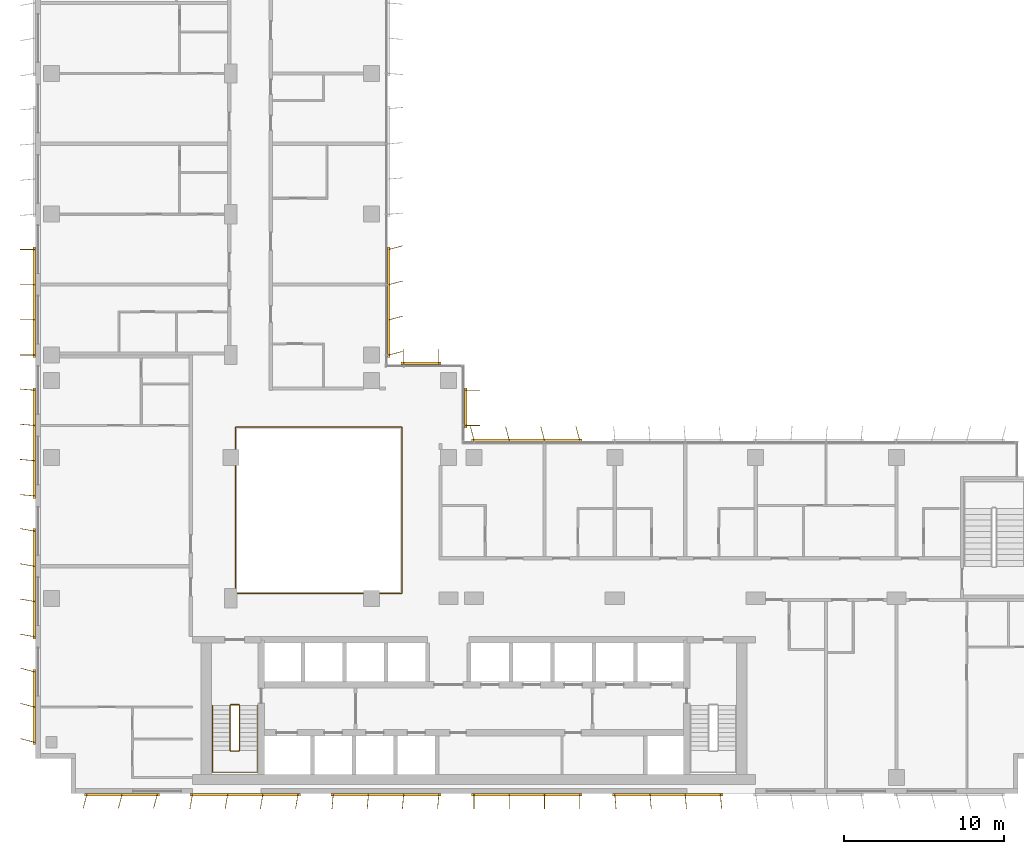
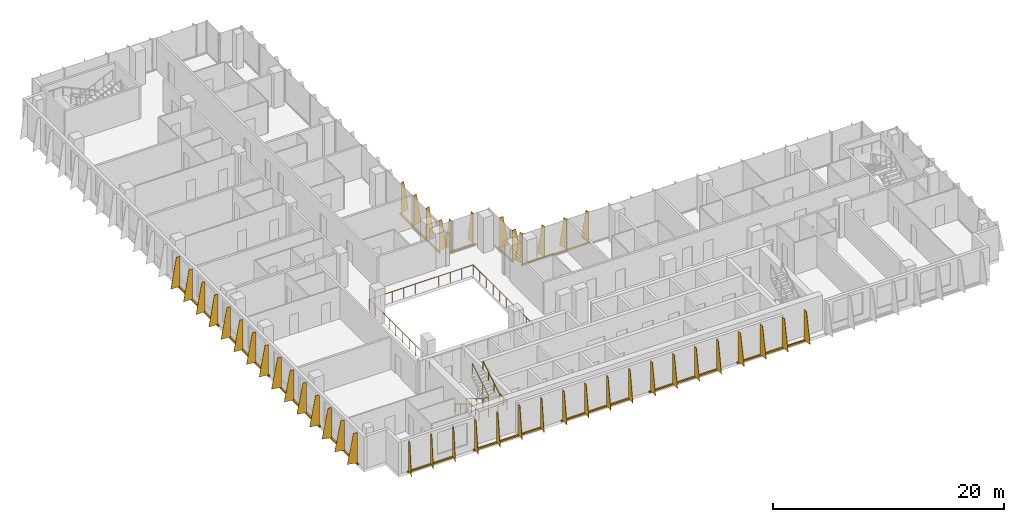
# One storey, part 19 of 21: 13 shading devices, 3 railings.
"""IFC4 building model written with IfcOpenShell, lengths in metres."""

import ifcopenshell
import ifcopenshell.guid

model = None  # the IFC model being written
_history = None  # IfcOwnerHistory: only IFC2X3 demands one
_inside = {}  # id of a spatial element -> (the spatial element, [elements in it])
_under = {}  # id of a project, library or spatial element -> (it, [spatial elements below it])
_declared = {}  # id of a project -> (the project, [libraries it declares])
_typed = {}  # id of a type object -> (the type object, [elements of that type])
_made_of = {}  # id of a material, layer set ... -> (it, [elements and type objects made of it])


def new_model(schema):
    """Start an empty IFC model of exactly this schema.

    Asked for "IFC4X3", IfcOpenShell would pick the latest addendum, in which some entities
    have other attributes; the version numbers below select the first issue.
    IFC2X3 requires an IfcOwnerHistory on every rooted entity: one is made here for all.
    """
    global model, _history
    if schema == "IFC4X3":
        model = ifcopenshell.file(schema_version=(4, 3, 0, 0))
    else:
        model = ifcopenshell.file(schema=schema)
    _inside.clear()
    _under.clear()
    _declared.clear()
    _typed.clear()
    _made_of.clear()
    _history = None
    if model.schema == "IFC2X3":
        org = make("IfcOrganization", Name="unknown")
        user = make(
            "IfcPersonAndOrganization",
            ThePerson=make("IfcPerson", FamilyName="unknown"),
            TheOrganization=org,
        )
        app = make(
            "IfcApplication",
            ApplicationDeveloper=org,
            Version="unknown",
            ApplicationFullName="unknown",
            ApplicationIdentifier="unknown",
        )
        _history = make(
            "IfcOwnerHistory",
            OwningUser=user,
            OwningApplication=app,
            ChangeAction="ADDED",
            CreationDate=0,
        )
    return model


def make(cls, **values):
    """One entity of the class cls with the attributes given. An attribute that is None is left unset."""
    return model.create_entity(
        cls, **{name: value for name, value in values.items() if value is not None}
    )


def rooted(cls, **values):
    """An entity with a GlobalId (a new one), such as an element, a storey or a relation."""
    return make(cls, GlobalId=ifcopenshell.guid.new(), OwnerHistory=_history, **values)


def si_unit(unit_type, name, prefix=None):
    """IfcSIUnit, for example si_unit("LENGTHUNIT", "METRE", prefix="MILLI")."""
    return make("IfcSIUnit", UnitType=unit_type, Prefix=prefix, Name=name)


def assignment(units):
    """IfcUnitAssignment: the units of a project."""
    return None if units is None else make("IfcUnitAssignment", Units=units)


def point(xyz):
    """IfcCartesianPoint."""
    return None if xyz is None else make("IfcCartesianPoint", Coordinates=xyz)


def direction(xyz):
    """IfcDirection."""
    return None if xyz is None else make("IfcDirection", DirectionRatios=xyz)


def frame(location, z_axis=None, x_axis=None):
    """IfcAxis2Placement3D, a coordinate frame: its origin and axes. An axis left out is left unset."""
    return make(
        "IfcAxis2Placement3D",
        Location=point(location),
        Axis=direction(z_axis),
        RefDirection=direction(x_axis),
    )


def frame_2d(location, x_axis=None):
    """IfcAxis2Placement2D, a coordinate frame in the plane: its origin and x axis."""
    return make(
        "IfcAxis2Placement2D", Location=point(location), RefDirection=direction(x_axis)
    )


def origin():
    """The frame at (0, 0, 0) with its axes left unset."""
    return frame((0.0, 0.0, 0.0))


def origin_2d():
    """The frame at (0, 0) in the plane with its x axis left unset."""
    return frame_2d((0.0, 0.0))


def place(relative_to, where):
    """IfcLocalPlacement: puts the frame where relative to a parent placement (None: the world)."""
    return make(
        "IfcLocalPlacement", PlacementRelTo=relative_to, RelativePlacement=where
    )


def context(
    kind, dimensions, precision=None, world=None, true_north=None, identifier=None
):
    """IfcGeometricRepresentationContext, for example the 3D "Model" context."""
    return make(
        "IfcGeometricRepresentationContext",
        ContextIdentifier=identifier,
        ContextType=kind,
        CoordinateSpaceDimension=dimensions,
        Precision=precision,
        WorldCoordinateSystem=world,
        TrueNorth=true_north,
    )


def subcontext(parent, identifier, kind, view, scale=None):
    """IfcGeometricRepresentationSubContext, for example "Body" below "Model"."""
    return make(
        "IfcGeometricRepresentationSubContext",
        ContextIdentifier=identifier,
        ContextType=kind,
        ParentContext=parent,
        TargetScale=scale,
        TargetView=view,
    )


def project(units=None, contexts=None):
    """IfcProject with its units and contexts."""
    return rooted(
        "IfcProject",
        Name="project",
        RepresentationContexts=contexts,
        UnitsInContext=assignment(units),
    )


def spatial(cls, under=None, at=None, **own):
    """A site, building, storey or space (cls), placed at a placement, below another one or the project."""
    s = rooted(cls, ObjectPlacement=at, **own)
    if under is not None:
        _under.setdefault(under.id(), (under, []))[1].append(s)
    return s


def polyline(points):
    """IfcPolyline through the points."""
    return make("IfcPolyline", Points=[point(p) for p in points])


def profile(cls, at=None, kind="AREA", **sizes):
    """A parametric profile (cls). Its sizes go by their IFC names, for example OverallWidth=200.0."""
    return make(cls, ProfileType=kind, Position=at, **sizes)


def rectangle(**sizes):
    """IfcRectangleProfileDef."""
    return profile("IfcRectangleProfileDef", **sizes)


def circle(**sizes):
    """IfcCircleProfileDef."""
    return profile("IfcCircleProfileDef", **sizes)


def outline(outer, holes=None, kind="AREA"):
    """IfcArbitraryClosedProfileDef: a profile drawn as a closed curve; with holes, ...WithVoids."""
    if holes is None:
        return make("IfcArbitraryClosedProfileDef", ProfileType=kind, OuterCurve=outer)
    return make(
        "IfcArbitraryProfileDefWithVoids",
        ProfileType=kind,
        OuterCurve=outer,
        InnerCurves=holes,
    )


def extrude(swept, where, along, depth):
    """IfcExtrudedAreaSolid: the profile swept, set in the frame where, extruded along a direction by depth."""
    return make(
        "IfcExtrudedAreaSolid",
        SweptArea=swept,
        Position=where,
        ExtrudedDirection=direction(along),
        Depth=depth,
    )


def shape(context_of_items, identifier, shape_type, items):
    """IfcShapeRepresentation: the items that make up one representation, for example the "Body"."""
    return make(
        "IfcShapeRepresentation",
        ContextOfItems=context_of_items,
        RepresentationIdentifier=identifier,
        RepresentationType=shape_type,
        Items=items,
    )


def source(mapping_origin, context_of_items, identifier, shape_type, items):
    """IfcRepresentationMap: a shape defined once, which mapped items show again and again."""
    return make(
        "IfcRepresentationMap",
        MappingOrigin=mapping_origin,
        MappedRepresentation=shape(context_of_items, identifier, shape_type, items),
    )


def transform(
    local_origin,
    x_axis=None,
    y_axis=None,
    z_axis=None,
    scale=None,
    scale2=None,
    scale3=None,
    uniform=True,
):
    """IfcCartesianTransformationOperator3D, or its non-uniform kind. x_axis, y_axis, z_axis: its Axis1, 2, 3."""
    if uniform:
        return make(
            "IfcCartesianTransformationOperator3D",
            Axis1=direction(x_axis),
            Axis2=direction(y_axis),
            LocalOrigin=point(local_origin),
            Scale=scale,
            Axis3=direction(z_axis),
        )
    return make(
        "IfcCartesianTransformationOperator3DnonUniform",
        Axis1=direction(x_axis),
        Axis2=direction(y_axis),
        LocalOrigin=point(local_origin),
        Scale=scale,
        Axis3=direction(z_axis),
        Scale2=scale2,
        Scale3=scale3,
    )


def mapped(mapping_source, mapping_target):
    """IfcMappedItem: shows the shape of a source again, moved by a transform."""
    return make(
        "IfcMappedItem", MappingSource=mapping_source, MappingTarget=mapping_target
    )


def material(Name=None, Category=None):
    """IfcMaterial."""
    return make("IfcMaterial", Name=Name, Category=Category)


def layer(
    of_material, thickness, ventilated=None, Name=None, Category=None, Priority=None
):
    """IfcMaterialLayer: one layer of a wall or slab, of a material (None: an air gap)."""
    return make(
        "IfcMaterialLayer",
        Material=of_material,
        LayerThickness=thickness,
        IsVentilated=ventilated,
        Name=Name,
        Category=Category,
        Priority=Priority,
    )


def layer_set(layers, Name=None):
    """IfcMaterialLayerSet."""
    return make("IfcMaterialLayerSet", MaterialLayers=layers, LayerSetName=Name)


def made_of(thing, what):
    """Note that an element or type object is made of a material, layer set ...; save() writes the relation."""
    if what is not None:
        _made_of.setdefault(what.id(), (what, []))[1].append(thing)
    return thing


def type_object(cls, material=None, **own):
    """A type object (cls), such as IfcWallType, which elements share."""
    return made_of(rooted(cls, **own), material)


def element(
    cls,
    number,
    at=None,
    inside=None,
    cuts=None,
    type_object=None,
    material=None,
    context=None,
    identifier="Body",
    shape_type=None,
    held_by="IfcProductDefinitionShape",
    body=None,
    shapes=None,
    **own,
):
    """One element of the class cls, such as IfcWall. Its Tag is "e" and its number.

    at: its placement. inside: the storey or other place that contains it. cuts: it is an
    opening in that element (IfcRelVoidsElement). A single representation is given by context,
    identifier, shape_type and body (its items); several are given by shapes. held_by: the class
    of the entity that holds the representations. save() writes the other relations.
    """
    e = rooted(cls, Tag="e%d" % number, ObjectPlacement=at, **own)
    if body is not None:
        shapes = [shape(context, identifier, shape_type, body)]
    if shapes is not None:
        e.Representation = make(held_by, Representations=shapes)
    if inside is not None:
        _inside.setdefault(inside.id(), (inside, []))[1].append(e)
    if cuts is not None:
        rooted(
            "IfcRelVoidsElement", RelatingBuildingElement=cuts, RelatedOpeningElement=e
        )
    if type_object is not None:
        _typed.setdefault(type_object.id(), (type_object, []))[1].append(e)
    return made_of(e, material)


def aggregate(whole, parts):
    """IfcRelAggregates: a whole, such as a stair, and the parts it consists of."""
    return rooted("IfcRelAggregates", RelatingObject=whole, RelatedObjects=parts)


def save(model, path):
    """Write the relations noted so far, then the file.

    IfcRelAggregates (storeys below a building ...), IfcRelContainedInSpatialStructure (elements
    in a storey), IfcRelDefinesByType, IfcRelAssociatesMaterial and IfcRelDeclares: one each for
    every whole, place, type object, material and project.
    """
    for whole, parts in _under.values():
        aggregate(whole, parts)
    for where, things in _inside.values():
        rooted(
            "IfcRelContainedInSpatialStructure",
            RelatedElements=things,
            RelatingStructure=where,
        )
    for kind, things in _typed.values():
        rooted("IfcRelDefinesByType", RelatedObjects=things, RelatingType=kind)
    for what, things in _made_of.values():
        rooted("IfcRelAssociatesMaterial", RelatedObjects=things, RelatingMaterial=what)
    for by, libraries in _declared.values():
        rooted("IfcRelDeclares", RelatingContext=by, RelatedDefinitions=libraries)
    model.write(path)


model = new_model("IFC4")

# Units and contexts
model_context = context("Model", 3, precision=1e-05, world=origin(), true_north=direction((0.0, 1.0)))
body_context = subcontext(model_context, "Body", "Model", "MODEL_VIEW")
ifc_project = project(units=[si_unit("LENGTHUNIT", "METRE"), si_unit("AREAUNIT", "SQUARE_METRE"), si_unit("VOLUMEUNIT", "CUBIC_METRE"), si_unit("PLANEANGLEUNIT", "RADIAN"), si_unit("MASSUNIT", "GRAM", prefix="KILO")], contexts=[model_context])

# Site, building, storey
site_placement = place(None, origin())
site = spatial("IfcSite", under=ifc_project, at=site_placement, CompositionType="ELEMENT")
building_placement = place(site_placement, origin())
building = spatial("IfcBuilding", under=site, at=building_placement, Name="Kemantara Hotel Tower", CompositionType="ELEMENT")
storey_placement = place(building_placement, frame((0.0, 0.0, 208.0)))
storey = spatial("IfcBuildingStorey", under=building, at=storey_placement, Name="L51", CompositionType="ELEMENT", Elevation=208.0)

# Railings
ifc_material_1 = material(Name="Stainless steel and laminated glass balustrade", Category="steel")
railing_type_1 = type_object("IfcRailingType", Name="ATRIUM GUARD 1100", PredefinedType="GUARDRAIL", material=ifc_material_1)
railing_1_placement = place(storey_placement, frame((12.56005859375, 12.5, 0.0)))
element("IfcRailing", 1, at=railing_1_placement, inside=storey, type_object=railing_type_1, Name="ATRIUM GUARD L51", PredefinedType="GUARDRAIL", context=body_context, shape_type="SweptSolid", body=[
    extrude(circle(Radius=0.02490234375, at=origin_2d()), frame((0.0, 0.0, 1.0751953125), z_axis=(1.0, 0.0, 0.0), x_axis=(0.0, 1.0, 0.0)), (0.0, 0.0, 1.0), 10.33984375),
    extrude(circle(Radius=0.02490234375, at=origin_2d()), frame((10.33984375, 0.0, 1.0751953125), z_axis=(0.0, 1.0, 0.0), x_axis=(-1.0, 0.0, 0.0)), (0.0, 0.0, 1.0), 10.39990234375),
    extrude(circle(Radius=0.02490234375, at=origin_2d()), frame((10.33984375, 10.39990234375, 1.0751953125), z_axis=(-1.0, 0.0, 0.0), x_axis=(0.0, -1.0, 0.0)), (0.0, 0.0, 1.0), 10.39990234375),
    extrude(circle(Radius=0.02490234375, at=origin_2d()), frame((-0.06005859375, 10.39990234375, 1.0751953125), z_axis=(0.0, -1.0, 0.0), x_axis=(1.0, 0.0, 0.0)), (0.0, 0.0, 1.0), 10.39990234375),
    extrude(circle(Radius=0.02001953125, at=origin_2d()), origin(), (0.0, 0.0, 1.0), 1.050048828125),
    extrude(circle(Radius=0.02001953125, at=origin_2d()), frame((1.14892578125, 0.0, 0.0)), (0.0, 0.0, 1.0), 1.050048828125),
    extrude(circle(Radius=0.02001953125, at=origin_2d()), frame((2.2978515625, 0.0, 0.0)), (0.0, 0.0, 1.0), 1.050048828125),
    extrude(circle(Radius=0.02001953125, at=origin_2d()), frame((3.446533203125, 0.0, 0.0)), (0.0, 0.0, 1.0), 1.050048828125),
    extrude(circle(Radius=0.02001953125, at=origin_2d()), frame((4.595458984375, 0.0, 0.0)), (0.0, 0.0, 1.0), 1.050048828125),
    extrude(circle(Radius=0.02001953125, at=origin_2d()), frame((5.744384765625, 0.0, 0.0)), (0.0, 0.0, 1.0), 1.050048828125),
    extrude(circle(Radius=0.02001953125, at=origin_2d()), frame((6.893310546875, 0.0, 0.0)), (0.0, 0.0, 1.0), 1.050048828125),
    extrude(circle(Radius=0.02001953125, at=origin_2d()), frame((8.0419921875, 0.0, 0.0)), (0.0, 0.0, 1.0), 1.050048828125),
    extrude(circle(Radius=0.02001953125, at=origin_2d()), frame((9.19091796875, 0.0, 0.0)), (0.0, 0.0, 1.0), 1.050048828125),
    extrude(circle(Radius=0.02001953125, at=origin_2d()), frame((10.33984375, 0.0, 0.0)), (0.0, 0.0, 1.0), 1.050048828125),
    extrude(circle(Radius=0.02001953125, at=origin_2d()), frame((10.33984375, 1.155517578125, 0.0)), (0.0, 0.0, 1.0), 1.050048828125),
    extrude(circle(Radius=0.02001953125, at=origin_2d()), frame((10.33984375, 2.31103515625, 0.0)), (0.0, 0.0, 1.0), 1.050048828125),
    extrude(circle(Radius=0.02001953125, at=origin_2d()), frame((10.33984375, 3.466552734375, 0.0)), (0.0, 0.0, 1.0), 1.050048828125),
    extrude(circle(Radius=0.02001953125, at=origin_2d()), frame((10.33984375, 4.6220703125, 0.0)), (0.0, 0.0, 1.0), 1.050048828125),
    extrude(circle(Radius=0.02001953125, at=origin_2d()), frame((10.33984375, 5.77783203125, 0.0)), (0.0, 0.0, 1.0), 1.050048828125),
    extrude(circle(Radius=0.02001953125, at=origin_2d()), frame((10.33984375, 6.933349609375, 0.0)), (0.0, 0.0, 1.0), 1.050048828125),
    extrude(circle(Radius=0.02001953125, at=origin_2d()), frame((10.33984375, 8.0888671875, 0.0)), (0.0, 0.0, 1.0), 1.050048828125),
    extrude(circle(Radius=0.02001953125, at=origin_2d()), frame((10.33984375, 9.244384765625, 0.0)), (0.0, 0.0, 1.0), 1.050048828125),
    extrude(circle(Radius=0.02001953125, at=origin_2d()), frame((10.33984375, 10.39990234375, 0.0)), (0.0, 0.0, 1.0), 1.050048828125),
    extrude(circle(Radius=0.02001953125, at=origin_2d()), frame((9.184326171875, 10.39990234375, 0.0)), (0.0, 0.0, 1.0), 1.050048828125),
    extrude(circle(Radius=0.02001953125, at=origin_2d()), frame((8.02880859375, 10.39990234375, 0.0)), (0.0, 0.0, 1.0), 1.050048828125),
    extrude(circle(Radius=0.02001953125, at=origin_2d()), frame((6.873291015625, 10.39990234375, 0.0)), (0.0, 0.0, 1.0), 1.050048828125),
    extrude(circle(Radius=0.02001953125, at=origin_2d()), frame((5.7177734375, 10.39990234375, 0.0)), (0.0, 0.0, 1.0), 1.050048828125),
    extrude(circle(Radius=0.02001953125, at=origin_2d()), frame((4.56201171875, 10.39990234375, 0.0)), (0.0, 0.0, 1.0), 1.050048828125),
    extrude(circle(Radius=0.02001953125, at=origin_2d()), frame((3.406494140625, 10.39990234375, 0.0)), (0.0, 0.0, 1.0), 1.050048828125),
    extrude(circle(Radius=0.02001953125, at=origin_2d()), frame((2.2509765625, 10.39990234375, 0.0)), (0.0, 0.0, 1.0), 1.050048828125),
    extrude(circle(Radius=0.02001953125, at=origin_2d()), frame((1.095458984375, 10.39990234375, 0.0)), (0.0, 0.0, 1.0), 1.050048828125),
    extrude(circle(Radius=0.02001953125, at=origin_2d()), frame((-0.06005859375, 10.39990234375, 0.0)), (0.0, 0.0, 1.0), 1.050048828125),
    extrude(circle(Radius=0.02001953125, at=origin_2d()), frame((-0.06005859375, 9.244384765625, 0.0)), (0.0, 0.0, 1.0), 1.050048828125),
    extrude(circle(Radius=0.02001953125, at=origin_2d()), frame((-0.06005859375, 8.0888671875, 0.0)), (0.0, 0.0, 1.0), 1.050048828125),
    extrude(circle(Radius=0.02001953125, at=origin_2d()), frame((-0.06005859375, 6.933349609375, 0.0)), (0.0, 0.0, 1.0), 1.050048828125),
    extrude(circle(Radius=0.02001953125, at=origin_2d()), frame((-0.06005859375, 5.77783203125, 0.0)), (0.0, 0.0, 1.0), 1.050048828125),
    extrude(circle(Radius=0.02001953125, at=origin_2d()), frame((-0.06005859375, 4.6220703125, 0.0)), (0.0, 0.0, 1.0), 1.050048828125),
    extrude(circle(Radius=0.02001953125, at=origin_2d()), frame((-0.06005859375, 3.466552734375, 0.0)), (0.0, 0.0, 1.0), 1.050048828125),
    extrude(circle(Radius=0.02001953125, at=origin_2d()), frame((-0.06005859375, 2.31103515625, 0.0)), (0.0, 0.0, 1.0), 1.050048828125),
    extrude(circle(Radius=0.02001953125, at=origin_2d()), frame((-0.06005859375, 1.155517578125, 0.0)), (0.0, 0.0, 1.0), 1.050048828125),
    extrude(circle(Radius=0.02001953125, at=origin_2d()), frame((-0.06005859375, 0.0, 0.0)), (0.0, 0.0, 1.0), 1.050048828125),
])
ifc_material_2 = material(Name="Stainless steel balustrade", Category="steel")
railing_type_2 = type_object("IfcRailingType", Name="Stair guard 1100 mm", PredefinedType="GUARDRAIL", material=ifc_material_2)
railing_2_placement = place(storey_placement, frame((12.75, 5.5, 3.699951171875)))
element("IfcRailing", 2, at=railing_2_placement, inside=storey, type_object=railing_type_2, Name="L51 ST1 stair guard 1", PredefinedType="GUARDRAIL", context=body_context, shape_type="SweptSolid", body=[
    extrude(circle(Radius=0.02392578125, at=origin_2d()), frame((0.0, 0.0, 1.076171875), z_axis=(0.0, -0.857242210791, -0.514913383045), x_axis=(1.0, 0.0, 0.0)), (0.0, 0.0, 1.0), 3.266357421875),
    extrude(circle(Radius=0.02392578125, at=origin_2d()), frame((0.0, -2.800048828125, -0.60595703125), z_axis=(-0.274582412415, -0.274582412415, -0.921525364591), x_axis=(0.707106781187, -0.707106781187, 0.0)), (0.0, 0.0, 1.0), 0.182373046875),
    extrude(circle(Radius=0.02392578125, at=origin_2d()), frame((-0.050048828125, -2.85009765625, -0.77392578125), z_axis=(-1.0, 0.0, 0.0), x_axis=(0.0, -1.0, 0.0)), (0.0, 0.0, 1.0), 0.5),
    extrude(circle(Radius=0.02392578125, at=origin_2d()), frame((-0.550048828125, -2.85009765625, -0.77392578125), z_axis=(-0.707106781187, 0.707106781187, 0.0), x_axis=(-0.707106781187, -0.707106781187, 0.0)), (0.0, 0.0, 1.0), 0.07080078125),
    extrude(circle(Radius=0.02392578125, at=origin_2d()), frame((-0.60009765625, -2.800048828125, -0.77392578125), z_axis=(0.0, 0.857242210791, -0.514913383045), x_axis=(-1.0, 0.0, 0.0)), (0.0, 0.0, 1.0), 3.266357421875),
    extrude(circle(Radius=0.02392578125, at=origin_2d()), frame((-0.60009765625, 0.0, -2.45556640625), z_axis=(0.274243871929, 0.274243871929, -0.92172696468), x_axis=(-0.707106781187, 0.707106781187, 0.0)), (0.0, 0.0, 1.0), 0.1826171875),
    extrude(circle(Radius=0.02392578125, at=origin_2d()), frame((-0.550048828125, 0.050048828125, -2.6240234375), z_axis=(1.0, 0.0, 0.0), x_axis=(0.0, 1.0, 0.0)), (0.0, 0.0, 1.0), 0.5),
    extrude(circle(Radius=0.02099609375, at=origin_2d()), origin(), (0.0, 0.0, 1.0), 1.052001953125),
    extrude(circle(Radius=0.02099609375, at=origin_2d()), frame((0.0, -0.933349609375, -0.560546875)), (0.0, 0.0, 1.0), 1.052001953125),
    extrude(circle(Radius=0.02099609375, at=origin_2d()), frame((0.0, -1.86669921875, -1.121337890625)), (0.0, 0.0, 1.0), 1.052001953125),
    extrude(circle(Radius=0.02099609375, at=origin_2d()), frame((0.0, -2.800048828125, -1.681884765625)), (0.0, 0.0, 1.0), 1.052001953125),
    extrude(circle(Radius=0.02099609375, at=origin_2d()), frame((-0.050048828125, -2.85009765625, -1.849853515625)), (0.0, 0.0, 1.0), 1.052001953125),
    extrude(circle(Radius=0.02099609375, at=origin_2d()), frame((-0.550048828125, -2.85009765625, -1.849853515625)), (0.0, 0.0, 1.0), 1.052001953125),
    extrude(circle(Radius=0.02099609375, at=origin_2d()), frame((-0.60009765625, -2.800048828125, -1.849853515625)), (0.0, 0.0, 1.0), 1.052001953125),
    extrude(circle(Radius=0.02099609375, at=origin_2d()), frame((-0.60009765625, -1.86669921875, -2.410400390625)), (0.0, 0.0, 1.0), 1.052001953125),
    extrude(circle(Radius=0.02099609375, at=origin_2d()), frame((-0.60009765625, -0.933349609375, -2.97119140625)), (0.0, 0.0, 1.0), 1.052001953125),
    extrude(circle(Radius=0.02099609375, at=origin_2d()), frame((-0.60009765625, 0.0, -3.53173828125)), (0.0, 0.0, 1.0), 1.052001953125),
    extrude(circle(Radius=0.02099609375, at=origin_2d()), frame((-0.550048828125, 0.050048828125, -3.699951171875)), (0.0, 0.0, 1.0), 1.052001953125),
    extrude(circle(Radius=0.02099609375, at=origin_2d()), frame((-0.050048828125, 0.050048828125, -3.699951171875)), (0.0, 0.0, 1.0), 1.052001953125),
])
railing_type_3 = type_object("IfcRailingType", Name="Stair handrail 900 mm", PredefinedType="HANDRAIL", material=ifc_material_2)
railing_3_placement = place(storey_placement, frame((11.050048828125, 5.5, 0.168212890625)))
element("IfcRailing", 3, at=railing_3_placement, inside=storey, type_object=railing_type_3, Name="L51 ST1 stair handrail 1", PredefinedType="HANDRAIL", context=body_context, shape_type="SweptSolid", body=[
    extrude(circle(Radius=0.02392578125, at=origin_2d()), frame((0.0, 0.0, 0.8759765625), z_axis=(0.0, -0.857242210791, 0.514913383045), x_axis=(1.0, 0.0, 0.0)), (0.0, 0.0, 1.0), 3.266357421875),
    extrude(circle(Radius=0.02392578125, at=origin_2d()), frame((0.0, -2.800048828125, 2.5576171875), z_axis=(0.0, -1.0, 0.0), x_axis=(1.0, 0.0, 0.0)), (0.0, 0.0, 1.0), 1.3798828125),
    extrude(circle(Radius=0.02392578125, at=origin_2d()), frame((0.0, -4.179931640625, 2.5576171875), z_axis=(0.998205573864, 0.0, 0.059880149518), x_axis=(0.0, 1.0, 0.0)), (0.0, 0.0, 1.0), 2.80517578125),
    extrude(circle(Radius=0.02392578125, at=origin_2d()), frame((2.800048828125, -4.179931640625, 2.7255859375), z_axis=(0.0, 1.0, 0.0), x_axis=(-1.0, 0.0, 0.0)), (0.0, 0.0, 1.0), 1.3798828125),
    extrude(circle(Radius=0.02392578125, at=origin_2d()), frame((2.800048828125, -2.800048828125, 2.7255859375), z_axis=(0.0, 0.857242210791, 0.514913383045), x_axis=(-1.0, 0.0, 0.0)), (0.0, 0.0, 1.0), 3.266357421875),
    extrude(circle(Radius=0.02099609375, at=origin_2d()), origin(), (0.0, 0.0, 1.0), 0.851806640625),
    extrude(circle(Radius=0.02099609375, at=origin_2d()), frame((0.0, -0.933349609375, 0.560546875)), (0.0, 0.0, 1.0), 0.851806640625),
    extrude(circle(Radius=0.02099609375, at=origin_2d()), frame((0.0, -1.86669921875, 1.121337890625)), (0.0, 0.0, 1.0), 0.851806640625),
    extrude(circle(Radius=0.02099609375, at=origin_2d()), frame((0.0, -2.800048828125, 1.681884765625)), (0.0, 0.0, 1.0), 0.851806640625),
    extrude(circle(Radius=0.02099609375, at=origin_2d()), frame((0.0, -3.489990234375, 1.681884765625)), (0.0, 0.0, 1.0), 0.851806640625),
    extrude(circle(Radius=0.02099609375, at=origin_2d()), frame((0.0, -4.179931640625, 1.681884765625)), (0.0, 0.0, 1.0), 0.851806640625),
    extrude(circle(Radius=0.02099609375, at=origin_2d()), frame((0.933349609375, -4.179931640625, 1.73779296875)), (0.0, 0.0, 1.0), 0.851806640625),
    extrude(circle(Radius=0.02099609375, at=origin_2d()), frame((1.86669921875, -4.179931640625, 1.7939453125)), (0.0, 0.0, 1.0), 0.851806640625),
    extrude(circle(Radius=0.02099609375, at=origin_2d()), frame((2.800048828125, -4.179931640625, 1.849853515625)), (0.0, 0.0, 1.0), 0.851806640625),
    extrude(circle(Radius=0.02099609375, at=origin_2d()), frame((2.800048828125, -3.489990234375, 1.849853515625)), (0.0, 0.0, 1.0), 0.851806640625),
    extrude(circle(Radius=0.02099609375, at=origin_2d()), frame((2.800048828125, -2.800048828125, 1.849853515625)), (0.0, 0.0, 1.0), 0.851806640625),
    extrude(circle(Radius=0.02099609375, at=origin_2d()), frame((2.800048828125, -1.86669921875, 2.410400390625)), (0.0, 0.0, 1.0), 0.851806640625),
    extrude(circle(Radius=0.02099609375, at=origin_2d()), frame((2.800048828125, -0.933349609375, 2.97119140625)), (0.0, 0.0, 1.0), 0.851806640625),
    extrude(circle(Radius=0.02099609375, at=origin_2d()), frame((2.800048828125, 0.0, 3.53173828125)), (0.0, 0.0, 1.0), 0.851806640625),
])

# Shading devices
ifc_material_3 = material(Name="Perforated aluminium plate 4 mm bronze anodised", Category="aluminium")
ifc_layer_1 = layer(ifc_material_3, 0.0400390625)
ifc_layer_set_1 = layer_set([ifc_layer_1], Name="Perforated aluminium plate 4 mm bronze anodised")
shading_device_type_1 = type_object("IfcShadingDeviceType", Name="SCREEN FIN CASSETTE, 3 BLADES AT -15.0 DEG, 3200 HIGH", PredefinedType="USERDEFINED", material=ifc_layer_set_1)
shared_shape_1 = source(origin(), body_context, "Body", "SweptSolid", [
    extrude(rectangle(XDim=4.699951171875, YDim=0.14990234375, at=origin_2d()), frame((2.199951171875, -0.074951171875, -0.14990234375), z_axis=(0.0, 0.0, 1.0), x_axis=(1.0, 0.0, 0.0)), (0.0, 0.0, 1.0), 0.14990234375),
    extrude(outline(polyline([(0.0, 0.0), (0.89990234375, 0.0), (0.35009765625, 3.199951171875), (0.0, 3.199951171875), (0.0, 0.0)])), frame((0.019287109375, -0.080078125, 0.0), z_axis=(-0.966437683387, 0.256901156343, 0.0), x_axis=(-0.256901156343, -0.966437683387, 0.0)), (0.0, 0.0, 1.0), 0.039794921875),
    extrude(outline(polyline([(0.0, 0.0), (0.89990234375, 0.0), (0.35009765625, 3.199951171875), (0.0, 3.199951171875), (0.0, 0.0)])), frame((2.21923828125, -0.080078125, 0.0), z_axis=(-0.966437683387, 0.256901156343, 0.0), x_axis=(-0.256901156343, -0.966437683387, 0.0)), (0.0, 0.0, 1.0), 0.039794921875),
    extrude(outline(polyline([(0.0, 0.0), (0.89990234375, 0.0), (0.35009765625, 3.199951171875), (0.0, 3.199951171875), (0.0, 0.0)])), frame((4.41943359375, -0.080078125, 0.0), z_axis=(-0.966837822169, 0.255391122837, 0.0), x_axis=(-0.255391122837, -0.966837822169, 0.0)), (0.0, 0.0, 1.0), 0.0400390625),
])
for number, where, z_axis, x_axis, name in (
    (4, (0.0, 7.60009765625, 0.10009765625), (0.0, 0.0, 1.0), (0.0, -1.0, 0.0), "SCREEN FIN CASSETTE L51 T3-R05-7"),
    (5, (3.199951171875, 0.0, 0.10009765625), (0.0, 0.0, 1.0), (1.0, 0.0, 0.0), "SCREEN FIN CASSETTE L51 T3-R08-1"),
):
    element("IfcShadingDevice", number, at=place(storey_placement, frame(where, z_axis=z_axis, x_axis=x_axis)), inside=storey, type_object=shading_device_type_1, Name=name, ObjectType="SCREEN FIN", PredefinedType="USERDEFINED", context=body_context, shape_type="MappedRepresentation", body=[
        mapped(shared_shape_1, transform((0.0, 0.0, 0.0))),
    ])
ifc_layer_2 = layer(ifc_material_3, 0.0400390625)
ifc_layer_set_2 = layer_set([ifc_layer_2], Name="Perforated aluminium plate 4 mm bronze anodised")
shading_device_type_2 = type_object("IfcShadingDeviceType", Name="SCREEN FIN CASSETTE, 4 BLADES AT -10.0 DEG, 3200 HIGH", PredefinedType="USERDEFINED", material=ifc_layer_set_2)
shared_shape_2 = source(origin(), body_context, "Body", "SweptSolid", [
    extrude(rectangle(XDim=6.89990234375, YDim=0.14990234375, at=origin_2d()), frame((3.300048828125, -0.074951171875, -0.14990234375), z_axis=(0.0, 0.0, 1.0), x_axis=(1.0, 0.0, 0.0)), (0.0, 0.0, 1.0), 0.14990234375),
    extrude(outline(polyline([(0.0, 0.0), (0.89990234375, 0.0), (0.35009765625, 3.199951171875), (0.0, 3.199951171875), (0.0, 0.0)])), frame((0.019775390625, -0.078369140625, 0.0), z_axis=(-0.985389793052, 0.170314285219, 0.0), x_axis=(-0.170314285219, -0.985389793052, 0.0)), (0.0, 0.0, 1.0), 0.0400390625),
    extrude(outline(polyline([(0.0, 0.0), (0.89990234375, 0.0), (0.35009765625, 3.199951171875), (0.0, 3.199951171875), (0.0, 0.0)])), frame((2.2197265625, -0.078369140625, 0.0), z_axis=(-0.98521175482, 0.171341174751, 0.0), x_axis=(-0.171341174751, -0.98521175482, 0.0)), (0.0, 0.0, 1.0), 0.039794921875),
    extrude(outline(polyline([(0.0, 0.0), (0.89990234375, 0.0), (0.35009765625, 3.199951171875), (0.0, 3.199951171875), (0.0, 0.0)])), frame((4.419677734375, -0.078369140625, 0.0), z_axis=(-0.98521175482, 0.171341174751, 0.0), x_axis=(-0.171341174751, -0.98521175482, 0.0)), (0.0, 0.0, 1.0), 0.039794921875),
    extrude(outline(polyline([(0.0, 0.0), (0.89990234375, 0.0), (0.35009765625, 3.199951171875), (0.0, 3.199951171875), (0.0, 0.0)])), frame((6.61962890625, -0.078369140625, 0.0), z_axis=(-0.98521175482, 0.171341174751, 0.0), x_axis=(-0.171341174751, -0.98521175482, 0.0)), (0.0, 0.0, 1.0), 0.039794921875),
])
for number, where, z_axis, x_axis, name in (
    (6, (0.0, 16.39990234375, 0.10009765625), (0.0, 0.0, 1.0), (0.0, -1.0, 0.0), "SCREEN FIN CASSETTE L51 T3-R05-6"),
    (7, (9.800048828125, 0.0, 0.10009765625), (0.0, 0.0, 1.0), (1.0, 0.0, 0.0), "SCREEN FIN CASSETTE L51 T3-R08-2"),
):
    element("IfcShadingDevice", number, at=place(storey_placement, frame(where, z_axis=z_axis, x_axis=x_axis)), inside=storey, type_object=shading_device_type_2, Name=name, ObjectType="SCREEN FIN", PredefinedType="USERDEFINED", context=body_context, shape_type="MappedRepresentation", body=[
        mapped(shared_shape_2, transform((0.0, 0.0, 0.0))),
    ])
ifc_layer_3 = layer(ifc_material_3, 0.0400390625)
ifc_layer_set_3 = layer_set([ifc_layer_3], Name="Perforated aluminium plate 4 mm bronze anodised")
shading_device_type_3 = type_object("IfcShadingDeviceType", Name="SCREEN FIN CASSETTE, 4 BLADES AT -5.0 DEG, 3200 HIGH", PredefinedType="USERDEFINED", material=ifc_layer_set_3)
shared_shape_3 = source(origin(), body_context, "Body", "SweptSolid", [
    extrude(rectangle(XDim=6.89990234375, YDim=0.14990234375, at=origin_2d()), frame((3.300048828125, -0.074951171875, -0.14990234375), z_axis=(0.0, 0.0, 1.0), x_axis=(1.0, 0.0, 0.0)), (0.0, 0.0, 1.0), 0.14990234375),
    extrude(outline(polyline([(0.0, 0.0), (0.89990234375, 0.0), (0.35009765625, 3.199951171875), (0.0, 3.199951171875), (0.0, 0.0)])), frame((0.02001953125, -0.07666015625, 0.0), z_axis=(-0.996376129781, 0.085056498884, 0.0), x_axis=(-0.085056498884, -0.996376129781, 0.0)), (0.0, 0.0, 1.0), 0.040283203125),
    extrude(outline(polyline([(0.0, 0.0), (0.89990234375, 0.0), (0.35009765625, 3.199951171875), (0.0, 3.199951171875), (0.0, 0.0)])), frame((2.219970703125, -0.07666015625, 0.0), z_axis=(-0.996331773833, 0.085574508182, 0.0), x_axis=(-0.085574508182, -0.996331773833, 0.0)), (0.0, 0.0, 1.0), 0.0400390625),
    extrude(outline(polyline([(0.0, 0.0), (0.89990234375, 0.0), (0.35009765625, 3.199951171875), (0.0, 3.199951171875), (0.0, 0.0)])), frame((4.419921875, -0.07666015625, 0.0), z_axis=(-0.996331773833, 0.085574508182, 0.0), x_axis=(-0.085574508182, -0.996331773833, 0.0)), (0.0, 0.0, 1.0), 0.0400390625),
    extrude(outline(polyline([(0.0, 0.0), (0.89990234375, 0.0), (0.35009765625, 3.199951171875), (0.0, 3.199951171875), (0.0, 0.0)])), frame((6.619873046875, -0.07666015625, 0.0), z_axis=(-0.996331773833, 0.085574508182, 0.0), x_axis=(-0.085574508182, -0.996331773833, 0.0)), (0.0, 0.0, 1.0), 0.0400390625),
])
for number, where, z_axis, x_axis, name in (
    (8, (0.0, 25.199951171875, 0.10009765625), (0.0, 0.0, 1.0), (0.0, -1.0, 0.0), "SCREEN FIN CASSETTE L51 T3-R05-5"),
    (9, (18.60009765625, 0.0, 0.10009765625), (0.0, 0.0, 1.0), (1.0, 0.0, 0.0), "SCREEN FIN CASSETTE L51 T3-R08-3"),
):
    element("IfcShadingDevice", number, at=place(storey_placement, frame(where, z_axis=z_axis, x_axis=x_axis)), inside=storey, type_object=shading_device_type_3, Name=name, ObjectType="SCREEN FIN", PredefinedType="USERDEFINED", context=body_context, shape_type="MappedRepresentation", body=[
        mapped(shared_shape_3, transform((0.0, 0.0, 0.0))),
    ])
ifc_layer_4 = layer(ifc_material_3, 0.0400390625)
ifc_layer_set_4 = layer_set([ifc_layer_4], Name="Perforated aluminium plate 4 mm bronze anodised")
shading_device_type_4 = type_object("IfcShadingDeviceType", Name="SCREEN FIN CASSETTE, 4 BLADES AT +0.0 DEG, 3200 HIGH", PredefinedType="USERDEFINED", material=ifc_layer_set_4)
shared_shape_4 = source(origin(), body_context, "Body", "SweptSolid", [
    extrude(rectangle(XDim=6.89990234375, YDim=0.14990234375, at=origin_2d()), frame((3.300048828125, -0.074951171875, -0.14990234375), z_axis=(0.0, 0.0, 1.0), x_axis=(1.0, 0.0, 0.0)), (0.0, 0.0, 1.0), 0.14990234375),
    extrude(outline(polyline([(0.0, 0.0), (0.89990234375, 0.0), (0.35009765625, 3.199951171875), (0.0, 3.199951171875), (0.0, 0.0)])), frame((0.02001953125, -0.074951171875, 0.0), z_axis=(-1.0, 0.0, 0.0), x_axis=(0.0, -1.0, 0.0)), (0.0, 0.0, 1.0), 0.0400390625),
    extrude(outline(polyline([(0.0, 0.0), (0.89990234375, 0.0), (0.35009765625, 3.199951171875), (0.0, 3.199951171875), (0.0, 0.0)])), frame((2.219970703125, -0.074951171875, 0.0), z_axis=(-1.0, 0.0, 0.0), x_axis=(0.0, -1.0, 0.0)), (0.0, 0.0, 1.0), 0.0400390625),
    extrude(outline(polyline([(0.0, 0.0), (0.89990234375, 0.0), (0.35009765625, 3.199951171875), (0.0, 3.199951171875), (0.0, 0.0)])), frame((4.419921875, -0.074951171875, 0.0), z_axis=(-1.0, 0.0, 0.0), x_axis=(0.0, -1.0, 0.0)), (0.0, 0.0, 1.0), 0.0400390625),
    extrude(outline(polyline([(0.0, 0.0), (0.89990234375, 0.0), (0.35009765625, 3.199951171875), (0.0, 3.199951171875), (0.0, 0.0)])), frame((6.6201171875, -0.074951171875, 0.0), z_axis=(-1.0, 0.0, 0.0), x_axis=(0.0, -1.0, 0.0)), (0.0, 0.0, 1.0), 0.0400390625),
])
for number, where, z_axis, x_axis, name in (
    (10, (0.0, 34.0, 0.10009765625), (0.0, 0.0, 1.0), (0.0, -1.0, 0.0), "SCREEN FIN CASSETTE L51 T3-R05-4"),
    (11, (27.39990234375, 0.0, 0.10009765625), (0.0, 0.0, 1.0), (1.0, 0.0, 0.0), "SCREEN FIN CASSETTE L51 T3-R08-4"),
):
    element("IfcShadingDevice", number, at=place(storey_placement, frame(where, z_axis=z_axis, x_axis=x_axis)), inside=storey, type_object=shading_device_type_4, Name=name, ObjectType="SCREEN FIN", PredefinedType="USERDEFINED", context=body_context, shape_type="MappedRepresentation", body=[
        mapped(shared_shape_4, transform((0.0, 0.0, 0.0))),
    ])
ifc_layer_5 = layer(ifc_material_3, 0.0400390625)
ifc_layer_set_5 = layer_set([ifc_layer_5], Name="Perforated aluminium plate 4 mm bronze anodised")
shading_device_type_5 = type_object("IfcShadingDeviceType", Name="SCREEN FIN CASSETTE, 4 BLADES AT +5.0 DEG, 3200 HIGH", PredefinedType="USERDEFINED", material=ifc_layer_set_5)
shared_shape_5 = source(origin(), body_context, "Body", "SweptSolid", [
    extrude(rectangle(XDim=6.89990234375, YDim=0.14990234375, at=origin_2d()), frame((3.300048828125, -0.074951171875, -0.14990234375), z_axis=(0.0, 0.0, 1.0), x_axis=(1.0, 0.0, 0.0)), (0.0, 0.0, 1.0), 0.14990234375),
    extrude(outline(polyline([(0.0, 0.0), (0.89990234375, 0.0), (0.35009765625, 3.199951171875), (0.0, 3.199951171875), (0.0, 0.0)])), frame((0.02001953125, -0.0732421875, 0.0), z_axis=(-0.996376129781, -0.085056498884, 0.0), x_axis=(0.085056498884, -0.996376129781, 0.0)), (0.0, 0.0, 1.0), 0.040283203125),
    extrude(outline(polyline([(0.0, 0.0), (0.89990234375, 0.0), (0.35009765625, 3.199951171875), (0.0, 3.199951171875), (0.0, 0.0)])), frame((2.219970703125, -0.0732421875, 0.0), z_axis=(-0.996331773833, -0.085574508182, 0.0), x_axis=(0.085574508182, -0.996331773833, 0.0)), (0.0, 0.0, 1.0), 0.0400390625),
    extrude(outline(polyline([(0.0, 0.0), (0.89990234375, 0.0), (0.35009765625, 3.199951171875), (0.0, 3.199951171875), (0.0, 0.0)])), frame((4.419921875, -0.0732421875, 0.0), z_axis=(-0.996331773833, -0.085574508182, 0.0), x_axis=(0.085574508182, -0.996331773833, 0.0)), (0.0, 0.0, 1.0), 0.0400390625),
    extrude(outline(polyline([(0.0, 0.0), (0.89990234375, 0.0), (0.35009765625, 3.199951171875), (0.0, 3.199951171875), (0.0, 0.0)])), frame((6.619873046875, -0.0732421875, 0.0), z_axis=(-0.996331773833, -0.085574508182, 0.0), x_axis=(0.085574508182, -0.996331773833, 0.0)), (0.0, 0.0, 1.0), 0.0400390625),
])
shading_device_placement = place(storey_placement, frame((36.199951171875, 0.0, 0.10009765625), z_axis=(0.0, 0.0, 1.0), x_axis=(1.0, 0.0, 0.0)))
element("IfcShadingDevice", 12, at=shading_device_placement, inside=storey, type_object=shading_device_type_5, Name="SCREEN FIN CASSETTE L51 T3-R08-5", ObjectType="SCREEN FIN", PredefinedType="USERDEFINED", context=body_context, shape_type="MappedRepresentation", body=[
    mapped(shared_shape_5, transform((0.0, 0.0, 0.0))),
])
ifc_layer_6 = layer(ifc_material_3, 0.0400390625)
ifc_layer_set_6 = layer_set([ifc_layer_6], Name="Perforated aluminium plate 4 mm bronze anodised")
shading_device_type_6 = type_object("IfcShadingDeviceType", Name="SCREEN FIN CASSETTE, 4 BLADES AT +15.0 DEG, 3200 HIGH", PredefinedType="USERDEFINED", material=ifc_layer_set_6)
shared_shape_6 = source(origin(), body_context, "Body", "SweptSolid", [
    extrude(rectangle(XDim=6.89990234375, YDim=0.14990234375, at=origin_2d()), frame((3.300048828125, -0.074951171875, -0.14990234375), z_axis=(0.0, 0.0, 1.0), x_axis=(1.0, 0.0, 0.0)), (0.0, 0.0, 1.0), 0.14990234375),
    extrude(outline(polyline([(0.0, 0.0), (0.89990234375, 0.0), (0.35009765625, 3.199951171875), (0.0, 3.199951171875), (0.0, 0.0)])), frame((0.019287109375, -0.06982421875, 0.0), z_axis=(-0.966437683387, -0.256901156343, 0.0), x_axis=(0.256901156343, -0.966437683387, 0.0)), (0.0, 0.0, 1.0), 0.039794921875),
    extrude(outline(polyline([(0.0, 0.0), (0.89990234375, 0.0), (0.35009765625, 3.199951171875), (0.0, 3.199951171875), (0.0, 0.0)])), frame((2.21923828125, -0.06982421875, 0.0), z_axis=(-0.966437683387, -0.256901156343, 0.0), x_axis=(0.256901156343, -0.966437683387, 0.0)), (0.0, 0.0, 1.0), 0.039794921875),
    extrude(outline(polyline([(0.0, 0.0), (0.89990234375, 0.0), (0.35009765625, 3.199951171875), (0.0, 3.199951171875), (0.0, 0.0)])), frame((4.41943359375, -0.06982421875, 0.0), z_axis=(-0.966837822169, -0.255391122837, 0.0), x_axis=(0.255391122837, -0.966837822169, 0.0)), (0.0, 0.0, 1.0), 0.0400390625),
    extrude(outline(polyline([(0.0, 0.0), (0.89990234375, 0.0), (0.35009765625, 3.199951171875), (0.0, 3.199951171875), (0.0, 0.0)])), frame((6.619384765625, -0.06982421875, 0.0), z_axis=(-0.966837822169, -0.255391122837, 0.0), x_axis=(0.255391122837, -0.966837822169, 0.0)), (0.0, 0.0, 1.0), 0.0400390625),
])
for number, where, z_axis, x_axis, name in (
    (13, (34.0, 22.0, 0.10009765625), (0.0, 0.0, 1.0), (-1.0, 0.0, 0.0), "SCREEN FIN CASSETTE L51 T3-R14-4"),
    (14, (22.0, 27.39990234375, 0.10009765625), (0.0, 0.0, 1.0), (0.0, 1.0, 0.0), "SCREEN FIN CASSETTE L51 T3-R17-1"),
):
    element("IfcShadingDevice", number, at=place(storey_placement, frame(where, z_axis=z_axis, x_axis=x_axis)), inside=storey, type_object=shading_device_type_6, Name=name, ObjectType="SCREEN FIN", PredefinedType="USERDEFINED", context=body_context, shape_type="MappedRepresentation", body=[
        mapped(shared_shape_6, transform((0.0, 0.0, 0.0))),
    ])
ifc_layer_7 = layer(ifc_material_3, 0.0400390625)
ifc_layer_set_7 = layer_set([ifc_layer_7], Name="Perforated aluminium plate 4 mm bronze anodised")
shading_device_type_7 = type_object("IfcShadingDeviceType", Name="SCREEN FIN CASSETTE, 2 BLADES AT +0.0 DEG, 3200 HIGH", PredefinedType="USERDEFINED", material=ifc_layer_set_7)
shared_shape_7 = source(origin(), body_context, "Body", "SweptSolid", [
    extrude(rectangle(XDim=2.5, YDim=0.14990234375, at=origin_2d()), frame((1.10009765625, -0.074951171875, -0.14990234375), z_axis=(0.0, 0.0, 1.0), x_axis=(1.0, 0.0, 0.0)), (0.0, 0.0, 1.0), 0.14990234375),
    extrude(outline(polyline([(0.0, 0.0), (0.89990234375, 0.0), (0.35009765625, 3.199951171875), (0.0, 3.199951171875), (0.0, 0.0)])), frame((0.02001953125, -0.074951171875, 0.0), z_axis=(-1.0, 0.0, 0.0), x_axis=(0.0, -1.0, 0.0)), (0.0, 0.0, 1.0), 0.0400390625),
    extrude(outline(polyline([(0.0, 0.0), (0.89990234375, 0.0), (0.35009765625, 3.199951171875), (0.0, 3.199951171875), (0.0, 0.0)])), frame((2.219970703125, -0.074951171875, 0.0), z_axis=(-1.0, 0.0, 0.0), x_axis=(0.0, -1.0, 0.0)), (0.0, 0.0, 1.0), 0.0400390625),
])
for number, where, z_axis, x_axis, name in (
    (15, (26.800048828125, 23.0, 0.10009765625), (0.0, 0.0, 1.0), (0.0, 1.0, 0.0), "SCREEN FIN CASSETTE L51 T3-R15-1"),
    (16, (25.199951171875, 26.800048828125, 0.10009765625), (0.0, 0.0, 1.0), (-1.0, 0.0, 0.0), "SCREEN FIN CASSETTE L51 T3-R16-1"),
):
    element("IfcShadingDevice", number, at=place(storey_placement, frame(where, z_axis=z_axis, x_axis=x_axis)), inside=storey, type_object=shading_device_type_7, Name=name, ObjectType="SCREEN FIN", PredefinedType="USERDEFINED", context=body_context, shape_type="MappedRepresentation", body=[
        mapped(shared_shape_7, transform((0.0, 0.0, 0.0))),
    ])

save(model, "model.ifc")
